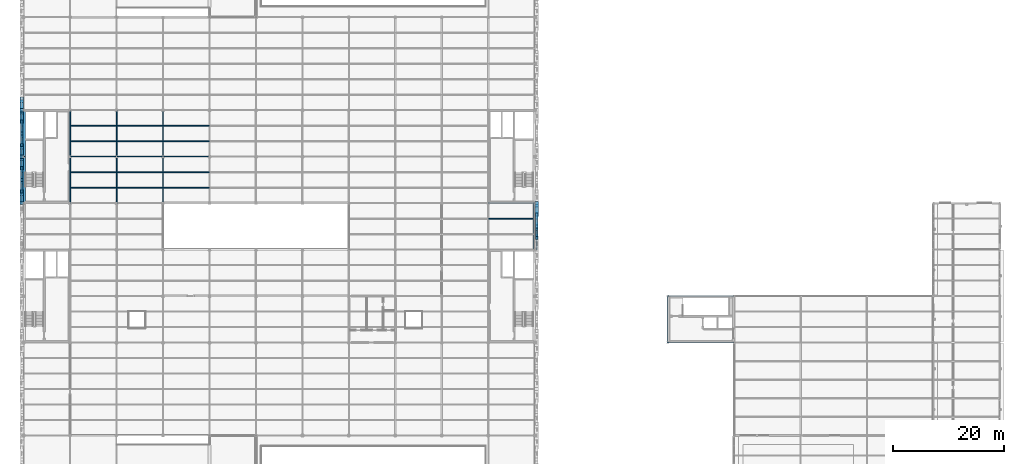
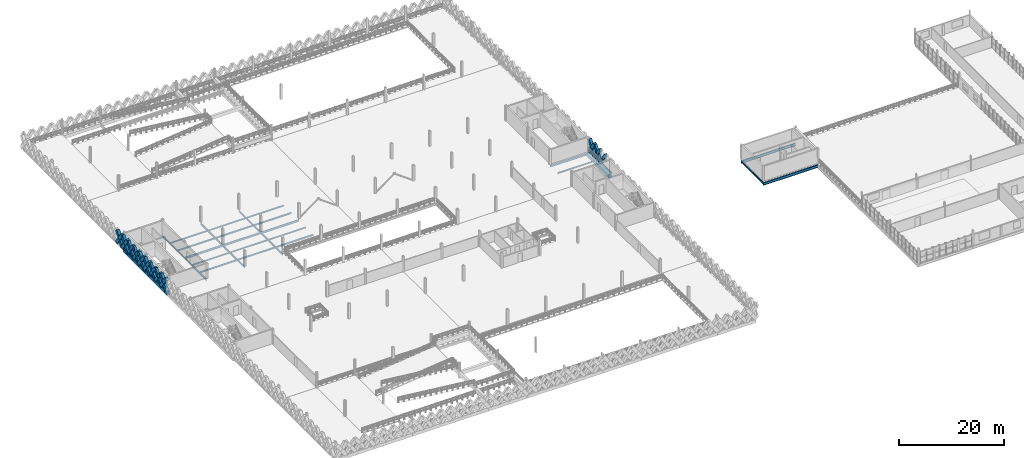
# One storey, part 25 of 74: 38 members, 29 beams.
"""IFC4 building model written with IfcOpenShell, lengths in metres."""

from ifc_helpers import new_model, si_unit, direction, frame, origin, origin_2d, place, context, subcontext, project, spatial, rectangle, hollow_rectangle, i_section, extrude, material, material_profile, profile_set, type_object, element, save


model = new_model("IFC4")

# Units and contexts
model_context = context("Model", 3, precision=1e-05, world=origin(), true_north=direction((0.0, 1.0)))
body_context = subcontext(model_context, "Body", "Model", "MODEL_VIEW")
ifc_project = project(units=[si_unit("LENGTHUNIT", "METRE"), si_unit("AREAUNIT", "SQUARE_METRE"), si_unit("VOLUMEUNIT", "CUBIC_METRE"), si_unit("PLANEANGLEUNIT", "RADIAN"), si_unit("MASSUNIT", "GRAM", prefix="KILO"), si_unit("THERMODYNAMICTEMPERATUREUNIT", "KELVIN"), si_unit("POWERUNIT", "WATT")], contexts=[model_context])

# Site, building, storey
site_placement = place(None, origin())
site = spatial("IfcSite", under=ifc_project, at=site_placement, CompositionType="ELEMENT")
building_placement = place(site_placement, origin())
building = spatial("IfcBuilding", under=site, at=building_placement, Name="Tembeka Court Mobility Hub", CompositionType="ELEMENT")
storey_placement = place(building_placement, frame((0.0, 0.0, 12.60009765625)))
storey = spatial("IfcBuildingStorey", under=building, at=storey_placement, Name="L03", CompositionType="ELEMENT", Elevation=12.60009765625)

# Beams
ifc_material_1 = material(Name="Steel S355", Category="steel")
ifc_material_profile_1 = material_profile(ifc_material_1, i_section(OverallWidth=0.18994140625, OverallDepth=0.45703125, WebThickness=0.009033203125, FlangeThickness=0.014404296875, FilletRadius=0.01025390625, at=origin_2d()), Name="UKB 457x191x74")
ifc_profile_set_1 = profile_set([ifc_material_profile_1], Name="Steel S355")
beam_type_1 = type_object("IfcBeamType", Name="BM-B01", PredefinedType="BEAM", material=ifc_profile_set_1)
beam_1_placement = place(storey_placement, frame((84.0, 63.60009765625, -0.448486328125), z_axis=(1.0, 0.0, 0.0), x_axis=(0.0, 1.0, 0.0)))
element("IfcBeam", 1, at=beam_1_placement, inside=storey, type_object=beam_type_1, Name="Beam B01 (BM-L03-X1770)", PredefinedType="BEAM", context=body_context, shape_type="SweptSolid", body=[
    extrude(i_section(OverallWidth=0.18994140625, OverallDepth=0.45703125, WebThickness=0.009033203125, FlangeThickness=0.014404296875, FilletRadius=0.01025390625, at=origin_2d()), origin(), (0.0, 0.0, 1.0), 8.39990234375),
])
beam_2_placement = place(storey_placement, frame((8.39990234375, 72.0, -0.448486328125), z_axis=(1.0, 0.0, 0.0), x_axis=(0.0, 1.0, 0.0)))
element("IfcBeam", 2, at=beam_2_placement, inside=storey, type_object=beam_type_1, Name="Beam B01 (BM-L03-X1772)", PredefinedType="BEAM", context=body_context, shape_type="SweptSolid", body=[
    extrude(i_section(OverallWidth=0.18994140625, OverallDepth=0.45703125, WebThickness=0.009033203125, FlangeThickness=0.014404296875, FilletRadius=0.01025390625, at=origin_2d()), origin(), (0.0, 0.0, 1.0), 8.400146484375),
])
beam_3_placement = place(storey_placement, frame((16.800048828125, 72.0, -0.448486328125), z_axis=(1.0, 0.0, 0.0), x_axis=(0.0, 1.0, 0.0)))
element("IfcBeam", 3, at=beam_3_placement, inside=storey, type_object=beam_type_1, Name="Beam B01 (BM-L03-X1773)", PredefinedType="BEAM", context=body_context, shape_type="SweptSolid", body=[
    extrude(i_section(OverallWidth=0.18994140625, OverallDepth=0.45703125, WebThickness=0.009033203125, FlangeThickness=0.014404296875, FilletRadius=0.01025390625, at=origin_2d()), origin(), (0.0, 0.0, 1.0), 8.39990234375),
])
beam_4_placement = place(storey_placement, frame((25.199951171875, 72.0, -0.448486328125), z_axis=(1.0, 0.0, 0.0), x_axis=(0.0, 1.0, 0.0)))
element("IfcBeam", 4, at=beam_4_placement, inside=storey, type_object=beam_type_1, Name="Beam B01 (BM-L03-X1774)", PredefinedType="BEAM", context=body_context, shape_type="SweptSolid", body=[
    extrude(i_section(OverallWidth=0.18994140625, OverallDepth=0.45703125, WebThickness=0.009033203125, FlangeThickness=0.014404296875, FilletRadius=0.01025390625, at=origin_2d()), origin(), (0.0, 0.0, 1.0), 8.400146484375),
])
ifc_material_profile_2 = material_profile(ifc_material_1, i_section(OverallWidth=0.177978515625, OverallDepth=0.406005859375, WebThickness=0.0078125, FlangeThickness=0.0126953125, FilletRadius=0.01025390625, at=origin_2d()), Name="UKB 406x178x60")
ifc_profile_set_2 = profile_set([ifc_material_profile_2], Name="Steel S355")
beam_type_2 = type_object("IfcBeamType", Name="BM-B02", PredefinedType="BEAM", material=ifc_profile_set_2)
for number, where, z_axis, x_axis, name in (
    (5, (8.39990234375, 63.60009765625, -0.423095703125), (0.0, 1.0, 0.0), (-1.0, 0.0, 0.0), "Beam B02 (BM-L03-Y1833)"),
    (6, (8.39990234375, 72.0, -0.423095703125), (0.0, 1.0, 0.0), (-1.0, 0.0, 0.0), "Beam B02 (BM-L03-Y1834)"),
    (7, (16.800048828125, 63.60009765625, -0.423095703125), (0.0, 1.0, 0.0), (-1.0, 0.0, 0.0), "Beam B02 (BM-L03-Y1844)"),
    (8, (16.800048828125, 72.0, -0.423095703125), (0.0, 1.0, 0.0), (-1.0, 0.0, 0.0), "Beam B02 (BM-L03-Y1845)"),
    (9, (25.199951171875, 63.60009765625, -0.423095703125), (0.0, 1.0, 0.0), (-1.0, 0.0, 0.0), "Beam B02 (BM-L03-Y1853)"),
    (10, (25.199951171875, 72.0, -0.423095703125), (0.0, 1.0, 0.0), (-1.0, 0.0, 0.0), "Beam B02 (BM-L03-Y1854)"),
):
    element("IfcBeam", number, at=place(storey_placement, frame(where, z_axis=z_axis, x_axis=x_axis)), inside=storey, type_object=beam_type_2, Name=name, PredefinedType="BEAM", context=body_context, shape_type="SweptSolid", body=[
        extrude(i_section(OverallWidth=0.177978515625, OverallDepth=0.406005859375, WebThickness=0.0078125, FlangeThickness=0.0126953125, FilletRadius=0.01025390625, at=origin_2d()), origin(), (0.0, 0.0, 1.0), 8.39990234375),
    ])
beam_5_placement = place(storey_placement, frame((116.39990234375, 38.39990234375, -0.39306640625), z_axis=(0.0, 1.0, 0.0), x_axis=(-1.0, 0.0, 0.0)))
element("IfcBeam", 11, at=beam_5_placement, inside=storey, type_object=beam_type_2, Name="Beam B02 (BM-L03-Y1921)", PredefinedType="BEAM", context=body_context, shape_type="SweptSolid", body=[
    extrude(i_section(OverallWidth=0.177978515625, OverallDepth=0.406005859375, WebThickness=0.0078125, FlangeThickness=0.0126953125, FilletRadius=0.01025390625, at=origin_2d()), origin(), (0.0, 0.0, 1.0), 8.400146484375),
])
ifc_material_profile_3 = material_profile(ifc_material_1, i_section(OverallWidth=0.22900390625, OverallDepth=0.612060546875, WebThickness=0.011962890625, FlangeThickness=0.01953125, FilletRadius=0.0126953125, at=origin_2d()), Name="UKB 610x229x125")
ifc_profile_set_3 = profile_set([ifc_material_profile_3], Name="Steel S355")
beam_type_3 = type_object("IfcBeamType", Name="BM-G02", PredefinedType="USERDEFINED", material=ifc_profile_set_3)
for number, where, z_axis, x_axis, name in (
    (12, (116.39990234375, 38.39990234375, -0.6259765625), (1.0, 0.0, 0.0), (0.0, 1.0, 0.0), "Beam G02 (BM-L03-X1729)"),
    (13, (116.39990234375, 46.800048828125, -0.6259765625), (1.0, 0.0, 0.0), (0.0, 1.0, 0.0), "Beam G02 (BM-L03-X1743)"),
):
    element("IfcBeam", number, at=place(storey_placement, frame(where, z_axis=z_axis, x_axis=x_axis)), inside=storey, type_object=beam_type_3, Name=name, ObjectType="GIRDER", PredefinedType="USERDEFINED", context=body_context, shape_type="SweptSolid", body=[
        extrude(i_section(OverallWidth=0.22900390625, OverallDepth=0.612060546875, WebThickness=0.011962890625, FlangeThickness=0.01953125, FilletRadius=0.0126953125, at=origin_2d()), origin(), (0.0, 0.0, 1.0), 12.0),
    ])
ifc_material_profile_4 = material_profile(ifc_material_1, i_section(OverallWidth=0.1650390625, OverallDepth=0.303955078125, WebThickness=0.006103515625, FlangeThickness=0.01025390625, FilletRadius=0.0087890625, at=origin_2d()), Name="UKB 305x165x40")
ifc_profile_set_4 = profile_set([ifc_material_profile_4], Name="Steel S355")
beam_type_4 = type_object("IfcBeamType", Name="BM-J02", PredefinedType="JOIST", material=ifc_profile_set_4)
for number, where, z_axis, x_axis, name in (
    (14, (8.48388671875, 69.199951171875, -0.3720703125), (1.0, 0.0, 0.0), (0.0, 1.0, 0.0), "Beam J02 (JST-L03-1970)"),
    (15, (8.48388671875, 77.60009765625, -0.3720703125), (1.0, 0.0, 0.0), (0.0, 1.0, 0.0), "Beam J02 (JST-L03-1972)"),
):
    element("IfcBeam", number, at=place(storey_placement, frame(where, z_axis=z_axis, x_axis=x_axis)), inside=storey, type_object=beam_type_4, Name=name, PredefinedType="JOIST", context=body_context, shape_type="SweptSolid", body=[
        extrude(i_section(OverallWidth=0.1650390625, OverallDepth=0.303955078125, WebThickness=0.006103515625, FlangeThickness=0.01025390625, FilletRadius=0.0087890625, at=origin_2d()), origin(), (0.0, 0.0, 1.0), 8.232177734375),
    ])
for number, where, z_axis, x_axis, name in (
    (16, (16.884033203125, 69.199951171875, -0.3720703125), (1.0, 0.0, 0.0), (0.0, 1.0, 0.0), "Beam J02 (JST-L03-1990)"),
    (17, (16.884033203125, 77.60009765625, -0.3720703125), (1.0, 0.0, 0.0), (0.0, 1.0, 0.0), "Beam J02 (JST-L03-1992)"),
):
    element("IfcBeam", number, at=place(storey_placement, frame(where, z_axis=z_axis, x_axis=x_axis)), inside=storey, type_object=beam_type_4, Name=name, PredefinedType="JOIST", context=body_context, shape_type="SweptSolid", body=[
        extrude(i_section(OverallWidth=0.1650390625, OverallDepth=0.303955078125, WebThickness=0.006103515625, FlangeThickness=0.01025390625, FilletRadius=0.0087890625, at=origin_2d()), origin(), (0.0, 0.0, 1.0), 8.23193359375),
    ])
for number, where, z_axis, x_axis, name in (
    (18, (25.283935546875, 69.199951171875, -0.3720703125), (1.0, 0.0, 0.0), (0.0, 1.0, 0.0), "Beam J02 (JST-L03-2008)"),
    (19, (25.283935546875, 77.60009765625, -0.3720703125), (1.0, 0.0, 0.0), (0.0, 1.0, 0.0), "Beam J02 (JST-L03-2010)"),
):
    element("IfcBeam", number, at=place(storey_placement, frame(where, z_axis=z_axis, x_axis=x_axis)), inside=storey, type_object=beam_type_4, Name=name, PredefinedType="JOIST", context=body_context, shape_type="SweptSolid", body=[
        extrude(i_section(OverallWidth=0.1650390625, OverallDepth=0.303955078125, WebThickness=0.006103515625, FlangeThickness=0.01025390625, FilletRadius=0.0087890625, at=origin_2d()), origin(), (0.0, 0.0, 1.0), 8.232177734375),
    ])
beam_6_placement = place(storey_placement, frame((84.083984375, 60.800048828125, -0.3720703125), z_axis=(1.0, 0.0, 0.0), x_axis=(0.0, 1.0, 0.0)))
element("IfcBeam", 20, at=beam_6_placement, inside=storey, type_object=beam_type_4, Name="Beam J02 (JST-L03-2136)", PredefinedType="JOIST", context=body_context, shape_type="SweptSolid", body=[
    extrude(i_section(OverallWidth=0.1650390625, OverallDepth=0.303955078125, WebThickness=0.006103515625, FlangeThickness=0.01025390625, FilletRadius=0.0087890625, at=origin_2d()), origin(), (0.0, 0.0, 1.0), 7.99609375),
])
ifc_material_profile_5 = material_profile(ifc_material_1, i_section(OverallWidth=0.169921875, OverallDepth=0.360107421875, WebThickness=0.008056640625, FlangeThickness=0.0126953125, FilletRadius=0.01806640625, at=origin_2d()), Name="IPE 360")
ifc_profile_set_5 = profile_set([ifc_material_profile_5], Name="Steel S355")
beam_type_5 = type_object("IfcBeamType", Name="BM-J03", PredefinedType="JOIST", material=ifc_profile_set_5)
for number, where, z_axis, x_axis, name in (
    (21, (8.48388671875, 66.39990234375, -0.400146484375), (1.0, 0.0, 0.0), (0.0, 1.0, 0.0), "Beam J03 (JST-L03-1969)"),
    (22, (8.48388671875, 74.800048828125, -0.400146484375), (1.0, 0.0, 0.0), (0.0, 1.0, 0.0), "Beam J03 (JST-L03-1971)"),
):
    element("IfcBeam", number, at=place(storey_placement, frame(where, z_axis=z_axis, x_axis=x_axis)), inside=storey, type_object=beam_type_5, Name=name, PredefinedType="JOIST", context=body_context, shape_type="SweptSolid", body=[
        extrude(i_section(OverallWidth=0.169921875, OverallDepth=0.360107421875, WebThickness=0.008056640625, FlangeThickness=0.0126953125, FilletRadius=0.01806640625, at=origin_2d()), origin(), (0.0, 0.0, 1.0), 8.232177734375),
    ])
for number, where, z_axis, x_axis, name in (
    (23, (16.884033203125, 66.39990234375, -0.400146484375), (1.0, 0.0, 0.0), (0.0, 1.0, 0.0), "Beam J03 (JST-L03-1989)"),
    (24, (16.884033203125, 74.800048828125, -0.400146484375), (1.0, 0.0, 0.0), (0.0, 1.0, 0.0), "Beam J03 (JST-L03-1991)"),
):
    element("IfcBeam", number, at=place(storey_placement, frame(where, z_axis=z_axis, x_axis=x_axis)), inside=storey, type_object=beam_type_5, Name=name, PredefinedType="JOIST", context=body_context, shape_type="SweptSolid", body=[
        extrude(i_section(OverallWidth=0.169921875, OverallDepth=0.360107421875, WebThickness=0.008056640625, FlangeThickness=0.0126953125, FilletRadius=0.01806640625, at=origin_2d()), origin(), (0.0, 0.0, 1.0), 8.23193359375),
    ])
for number, where, z_axis, x_axis, name in (
    (25, (25.283935546875, 66.39990234375, -0.400146484375), (1.0, 0.0, 0.0), (0.0, 1.0, 0.0), "Beam J03 (JST-L03-2007)"),
    (26, (25.283935546875, 74.800048828125, -0.400146484375), (1.0, 0.0, 0.0), (0.0, 1.0, 0.0), "Beam J03 (JST-L03-2009)"),
):
    element("IfcBeam", number, at=place(storey_placement, frame(where, z_axis=z_axis, x_axis=x_axis)), inside=storey, type_object=beam_type_5, Name=name, PredefinedType="JOIST", context=body_context, shape_type="SweptSolid", body=[
        extrude(i_section(OverallWidth=0.169921875, OverallDepth=0.360107421875, WebThickness=0.008056640625, FlangeThickness=0.0126953125, FilletRadius=0.01806640625, at=origin_2d()), origin(), (0.0, 0.0, 1.0), 8.232177734375),
    ])
ifc_material_2 = material(Name="Precast concrete C45/55", Category="concrete")
ifc_material_profile_6 = material_profile(ifc_material_2, rectangle(XDim=0.64990234375, YDim=0.800048828125, at=origin_2d()), Name="PC-SP 650x800")
ifc_profile_set_6 = profile_set([ifc_material_profile_6], Name="Precast concrete C45/55")
beam_type_6 = type_object("IfcBeamType", Name="BM-SP01", PredefinedType="SPANDREL", material=ifc_profile_set_6)
for number, where, z_axis, x_axis, name in (
    (27, (0.0, 63.60009765625, -0.6201171875), (0.0, 1.0, 0.0), (-1.0, 0.0, 0.0), "Beam SP01 (BM-L03-Y1822)"),
    (28, (0.0, 72.0, -0.6201171875), (0.0, 1.0, 0.0), (-1.0, 0.0, 0.0), "Beam SP01 (BM-L03-Y1823)"),
):
    element("IfcBeam", number, at=place(storey_placement, frame(where, z_axis=z_axis, x_axis=x_axis)), inside=storey, type_object=beam_type_6, Name=name, PredefinedType="SPANDREL", context=body_context, shape_type="SweptSolid", body=[
        extrude(rectangle(XDim=0.64990234375, YDim=0.800048828125, at=origin_2d()), origin(), (0.0, 0.0, 1.0), 8.39990234375),
    ])
beam_7_placement = place(storey_placement, frame((92.39990234375, 55.199951171875, -0.6201171875), z_axis=(0.0, 1.0, 0.0), x_axis=(-1.0, 0.0, 0.0)))
element("IfcBeam", 29, at=beam_7_placement, inside=storey, type_object=beam_type_6, Name="Beam SP01 (BM-L03-Y1915)", PredefinedType="SPANDREL", context=body_context, shape_type="SweptSolid", body=[
    extrude(rectangle(XDim=0.64990234375, YDim=0.800048828125, at=origin_2d()), origin(), (0.0, 0.0, 1.0), 8.400146484375),
])

# Members
ifc_material_profile_7 = material_profile(ifc_material_2, rectangle(XDim=0.5, YDim=0.64990234375, at=origin_2d()), Name="PC-DIAG 500x650")
ifc_profile_set_7 = profile_set([ifc_material_profile_7], Name="Precast concrete C45/55")
member_type_1 = type_object("IfcMemberType", Name="MEM-DL01", PredefinedType="BRACE", material=ifc_profile_set_7)
member_1_placement = place(storey_placement, frame((-0.340087890625, 65.699951171875, 0.02001953125), z_axis=(0.0, 0.582576362011, 0.812775973086), x_axis=(-1.0, 0.0, 0.0)))
element("IfcMember", 30, at=member_1_placement, inside=storey, type_object=member_type_1, Name="Precast diamond lattice continuous strand DL01 (L03-508C)", PredefinedType="BRACE", context=body_context, shape_type="SweptSolid", body=[
    extrude(rectangle(XDim=0.5, YDim=0.64990234375, at=origin_2d()), origin(), (0.0, 0.0, 1.0), 3.604736328125),
])
member_2_placement = place(storey_placement, frame((-0.340087890625, 67.800048828125, 0.02001953125), z_axis=(0.0, -0.582608431711, 0.812752985414), x_axis=(1.0, 0.0, 0.0)))
element("IfcMember", 31, at=member_2_placement, inside=storey, type_object=member_type_1, Name="Precast diamond lattice split lower strand DL01 (L03-508D1)", PredefinedType="BRACE", context=body_context, shape_type="SweptSolid", body=[
    extrude(rectangle(XDim=0.5, YDim=0.64990234375, at=origin_2d()), origin(), (0.0, 0.0, 1.0), 1.80224609375),
])
member_3_placement = place(storey_placement, frame((-0.340087890625, 66.75, 1.48486328125), z_axis=(0.0, -0.582544294934, 0.812798956963), x_axis=(1.0, 0.0, 0.0)))
element("IfcMember", 32, at=member_3_placement, inside=storey, type_object=member_type_1, Name="Precast diamond lattice split upper strand DL01 (L03-508D2)", PredefinedType="BRACE", context=body_context, shape_type="SweptSolid", body=[
    extrude(rectangle(XDim=0.5, YDim=0.64990234375, at=origin_2d()), origin(), (0.0, 0.0, 1.0), 1.802490234375),
])
member_4_placement = place(storey_placement, frame((-0.340087890625, 67.800048828125, 0.02001953125), z_axis=(0.0, 0.58253161945, 0.812808041509), x_axis=(-1.0, 0.0, 0.0)))
element("IfcMember", 33, at=member_4_placement, inside=storey, type_object=member_type_1, Name="Precast diamond lattice continuous strand DL01 (L03-509C)", PredefinedType="BRACE", context=body_context, shape_type="SweptSolid", body=[
    extrude(rectangle(XDim=0.5, YDim=0.64990234375, at=origin_2d()), origin(), (0.0, 0.0, 1.0), 3.604736328125),
])
member_5_placement = place(storey_placement, frame((-0.340087890625, 69.89990234375, 0.02001953125), z_axis=(0.0, -0.582518941428, 0.812817127574), x_axis=(1.0, 0.0, 0.0)))
element("IfcMember", 34, at=member_5_placement, inside=storey, type_object=member_type_1, Name="Precast diamond lattice split lower strand DL01 (L03-509D1)", PredefinedType="BRACE", context=body_context, shape_type="SweptSolid", body=[
    extrude(rectangle(XDim=0.5, YDim=0.64990234375, at=origin_2d()), origin(), (0.0, 0.0, 1.0), 1.80224609375),
])
member_6_placement = place(storey_placement, frame((-0.340087890625, 68.85009765625, 1.48486328125), z_axis=(0.0, -0.582544294934, 0.812798956963), x_axis=(1.0, 0.0, 0.0)))
element("IfcMember", 35, at=member_6_placement, inside=storey, type_object=member_type_1, Name="Precast diamond lattice split upper strand DL01 (L03-509D2)", PredefinedType="BRACE", context=body_context, shape_type="SweptSolid", body=[
    extrude(rectangle(XDim=0.5, YDim=0.64990234375, at=origin_2d()), origin(), (0.0, 0.0, 1.0), 1.802490234375),
])
member_7_placement = place(storey_placement, frame((-0.340087890625, 74.10009765625, 0.02001953125), z_axis=(0.0, 0.58253161945, 0.812808041509), x_axis=(-1.0, 0.0, 0.0)))
element("IfcMember", 36, at=member_7_placement, inside=storey, type_object=member_type_1, Name="Precast diamond lattice continuous strand DL01 (L03-512C)", PredefinedType="BRACE", context=body_context, shape_type="SweptSolid", body=[
    extrude(rectangle(XDim=0.5, YDim=0.64990234375, at=origin_2d()), origin(), (0.0, 0.0, 1.0), 3.604736328125),
])
member_8_placement = place(storey_placement, frame((-0.340087890625, 76.199951171875, 0.02001953125), z_axis=(0.0, -0.582608431711, 0.812752985414), x_axis=(1.0, 0.0, 0.0)))
element("IfcMember", 37, at=member_8_placement, inside=storey, type_object=member_type_1, Name="Precast diamond lattice split lower strand DL01 (L03-512D1)", PredefinedType="BRACE", context=body_context, shape_type="SweptSolid", body=[
    extrude(rectangle(XDim=0.5, YDim=0.64990234375, at=origin_2d()), origin(), (0.0, 0.0, 1.0), 1.80224609375),
])
member_9_placement = place(storey_placement, frame((-0.340087890625, 75.14990234375, 1.48486328125), z_axis=(0.0, -0.582454804382, 0.812863088627), x_axis=(1.0, 0.0, 0.0)))
element("IfcMember", 38, at=member_9_placement, inside=storey, type_object=member_type_1, Name="Precast diamond lattice split upper strand DL01 (L03-512D2)", PredefinedType="BRACE", context=body_context, shape_type="SweptSolid", body=[
    extrude(rectangle(XDim=0.5, YDim=0.64990234375, at=origin_2d()), origin(), (0.0, 0.0, 1.0), 1.802490234375),
])
member_10_placement = place(storey_placement, frame((-0.340087890625, 76.199951171875, 0.02001953125), z_axis=(0.0, 0.582576362011, 0.812775973086), x_axis=(-1.0, 0.0, 0.0)))
element("IfcMember", 39, at=member_10_placement, inside=storey, type_object=member_type_1, Name="Precast diamond lattice continuous strand DL01 (L03-513C)", PredefinedType="BRACE", context=body_context, shape_type="SweptSolid", body=[
    extrude(rectangle(XDim=0.5, YDim=0.64990234375, at=origin_2d()), origin(), (0.0, 0.0, 1.0), 3.604736328125),
])
member_11_placement = place(storey_placement, frame((-0.340087890625, 78.300048828125, 0.02001953125), z_axis=(0.0, -0.582608431711, 0.812752985414), x_axis=(1.0, 0.0, 0.0)))
element("IfcMember", 40, at=member_11_placement, inside=storey, type_object=member_type_1, Name="Precast diamond lattice split lower strand DL01 (L03-513D1)", PredefinedType="BRACE", context=body_context, shape_type="SweptSolid", body=[
    extrude(rectangle(XDim=0.5, YDim=0.64990234375, at=origin_2d()), origin(), (0.0, 0.0, 1.0), 1.80224609375),
])
member_12_placement = place(storey_placement, frame((-0.340087890625, 77.25, 1.48486328125), z_axis=(0.0, -0.582544294934, 0.812798956963), x_axis=(1.0, 0.0, 0.0)))
element("IfcMember", 41, at=member_12_placement, inside=storey, type_object=member_type_1, Name="Precast diamond lattice split upper strand DL01 (L03-513D2)", PredefinedType="BRACE", context=body_context, shape_type="SweptSolid", body=[
    extrude(rectangle(XDim=0.5, YDim=0.64990234375, at=origin_2d()), origin(), (0.0, 0.0, 1.0), 1.802490234375),
])
member_13_placement = place(storey_placement, frame((92.739990234375, 59.39990234375, 0.02001953125), z_axis=(0.0, -0.582518941428, 0.812817127574), x_axis=(1.0, 0.0, 0.0)))
element("IfcMember", 42, at=member_13_placement, inside=storey, type_object=member_type_1, Name="Precast diamond lattice split lower strand DL01 (L03-560D1)", PredefinedType="BRACE", context=body_context, shape_type="SweptSolid", body=[
    extrude(rectangle(XDim=0.5, YDim=0.64990234375, at=origin_2d()), origin(), (0.0, 0.0, 1.0), 1.80224609375),
])
member_14_placement = place(storey_placement, frame((92.739990234375, 58.35009765625, 1.48486328125), z_axis=(0.0, -0.582544294934, 0.812798956963), x_axis=(1.0, 0.0, 0.0)))
element("IfcMember", 43, at=member_14_placement, inside=storey, type_object=member_type_1, Name="Precast diamond lattice split upper strand DL01 (L03-560D2)", PredefinedType="BRACE", context=body_context, shape_type="SweptSolid", body=[
    extrude(rectangle(XDim=0.5, YDim=0.64990234375, at=origin_2d()), origin(), (0.0, 0.0, 1.0), 1.802490234375),
])
member_15_placement = place(storey_placement, frame((92.739990234375, 59.39990234375, 0.02001953125), z_axis=(0.0, 0.582576362011, 0.812775973086), x_axis=(-1.0, 0.0, 0.0)))
element("IfcMember", 44, at=member_15_placement, inside=storey, type_object=member_type_1, Name="Precast diamond lattice continuous strand DL01 (L03-561C)", PredefinedType="BRACE", context=body_context, shape_type="SweptSolid", body=[
    extrude(rectangle(XDim=0.5, YDim=0.64990234375, at=origin_2d()), origin(), (0.0, 0.0, 1.0), 3.604736328125),
])
member_16_placement = place(storey_placement, frame((92.739990234375, 61.5, 0.02001953125), z_axis=(0.0, -0.582608431711, 0.812752985414), x_axis=(1.0, 0.0, 0.0)))
element("IfcMember", 45, at=member_16_placement, inside=storey, type_object=member_type_1, Name="Precast diamond lattice split lower strand DL01 (L03-561D1)", PredefinedType="BRACE", context=body_context, shape_type="SweptSolid", body=[
    extrude(rectangle(XDim=0.5, YDim=0.64990234375, at=origin_2d()), origin(), (0.0, 0.0, 1.0), 1.80224609375),
])
member_17_placement = place(storey_placement, frame((92.739990234375, 60.449951171875, 1.48486328125), z_axis=(0.0, -0.582544294934, 0.812798956963), x_axis=(1.0, 0.0, 0.0)))
element("IfcMember", 46, at=member_17_placement, inside=storey, type_object=member_type_1, Name="Precast diamond lattice split upper strand DL01 (L03-561D2)", PredefinedType="BRACE", context=body_context, shape_type="SweptSolid", body=[
    extrude(rectangle(XDim=0.5, YDim=0.64990234375, at=origin_2d()), origin(), (0.0, 0.0, 1.0), 1.802490234375),
])
ifc_material_profile_8 = material_profile(ifc_material_2, rectangle(XDim=0.60009765625, YDim=0.75, at=origin_2d()), Name="PC-DIAG 600x750")
ifc_profile_set_8 = profile_set([ifc_material_profile_8], Name="Precast concrete C45/55")
member_type_2 = type_object("IfcMemberType", Name="MEM-DL02", PredefinedType="BRACE", material=ifc_profile_set_8)
member_18_placement = place(storey_placement, frame((-0.340087890625, 63.60009765625, 0.02001953125), z_axis=(0.0, 0.58253161945, 0.812808041509), x_axis=(-1.0, 0.0, 0.0)))
element("IfcMember", 47, at=member_18_placement, inside=storey, type_object=member_type_2, Name="Precast diamond lattice continuous strand DL02 (L03-507C)", PredefinedType="BRACE", context=body_context, shape_type="SweptSolid", body=[
    extrude(rectangle(XDim=0.60009765625, YDim=0.75, at=origin_2d()), origin(), (0.0, 0.0, 1.0), 3.604736328125),
])
member_19_placement = place(storey_placement, frame((-0.340087890625, 65.699951171875, 0.02001953125), z_axis=(0.0, -0.582608431711, 0.812752985414), x_axis=(1.0, 0.0, 0.0)))
element("IfcMember", 48, at=member_19_placement, inside=storey, type_object=member_type_2, Name="Precast diamond lattice split lower strand DL02 (L03-507D1)", PredefinedType="BRACE", context=body_context, shape_type="SweptSolid", body=[
    extrude(rectangle(XDim=0.60009765625, YDim=0.75, at=origin_2d()), origin(), (0.0, 0.0, 1.0), 1.80224609375),
])
member_20_placement = place(storey_placement, frame((-0.340087890625, 64.64990234375, 1.48486328125), z_axis=(0.0, -0.582454804382, 0.812863088627), x_axis=(1.0, 0.0, 0.0)))
element("IfcMember", 49, at=member_20_placement, inside=storey, type_object=member_type_2, Name="Precast diamond lattice split upper strand DL02 (L03-507D2)", PredefinedType="BRACE", context=body_context, shape_type="SweptSolid", body=[
    extrude(rectangle(XDim=0.60009765625, YDim=0.75, at=origin_2d()), origin(), (0.0, 0.0, 1.0), 1.802490234375),
])
member_21_placement = place(storey_placement, frame((-0.340087890625, 69.89990234375, 0.02001953125), z_axis=(0.0, 0.582576362011, 0.812775973086), x_axis=(-1.0, 0.0, 0.0)))
element("IfcMember", 50, at=member_21_placement, inside=storey, type_object=member_type_2, Name="Precast diamond lattice continuous strand DL02 (L03-510C)", PredefinedType="BRACE", context=body_context, shape_type="SweptSolid", body=[
    extrude(rectangle(XDim=0.60009765625, YDim=0.75, at=origin_2d()), origin(), (0.0, 0.0, 1.0), 3.604736328125),
])
member_22_placement = place(storey_placement, frame((-0.340087890625, 72.0, 0.02001953125), z_axis=(0.0, -0.582608431711, 0.812752985414), x_axis=(1.0, 0.0, 0.0)))
element("IfcMember", 51, at=member_22_placement, inside=storey, type_object=member_type_2, Name="Precast diamond lattice split lower strand DL02 (L03-510D1)", PredefinedType="BRACE", context=body_context, shape_type="SweptSolid", body=[
    extrude(rectangle(XDim=0.60009765625, YDim=0.75, at=origin_2d()), origin(), (0.0, 0.0, 1.0), 1.80224609375),
])
member_23_placement = place(storey_placement, frame((-0.340087890625, 70.949951171875, 1.48486328125), z_axis=(0.0, -0.582544294934, 0.812798956963), x_axis=(1.0, 0.0, 0.0)))
element("IfcMember", 52, at=member_23_placement, inside=storey, type_object=member_type_2, Name="Precast diamond lattice split upper strand DL02 (L03-510D2)", PredefinedType="BRACE", context=body_context, shape_type="SweptSolid", body=[
    extrude(rectangle(XDim=0.60009765625, YDim=0.75, at=origin_2d()), origin(), (0.0, 0.0, 1.0), 1.802490234375),
])
member_24_placement = place(storey_placement, frame((-0.340087890625, 72.0, 0.02001953125), z_axis=(0.0, 0.582576362011, 0.812775973086), x_axis=(-1.0, 0.0, 0.0)))
element("IfcMember", 53, at=member_24_placement, inside=storey, type_object=member_type_2, Name="Precast diamond lattice continuous strand DL02 (L03-511C)", PredefinedType="BRACE", context=body_context, shape_type="SweptSolid", body=[
    extrude(rectangle(XDim=0.60009765625, YDim=0.75, at=origin_2d()), origin(), (0.0, 0.0, 1.0), 3.604736328125),
])
member_25_placement = place(storey_placement, frame((-0.340087890625, 74.10009765625, 0.02001953125), z_axis=(0.0, -0.582608431711, 0.812752985414), x_axis=(1.0, 0.0, 0.0)))
element("IfcMember", 54, at=member_25_placement, inside=storey, type_object=member_type_2, Name="Precast diamond lattice split lower strand DL02 (L03-511D1)", PredefinedType="BRACE", context=body_context, shape_type="SweptSolid", body=[
    extrude(rectangle(XDim=0.60009765625, YDim=0.75, at=origin_2d()), origin(), (0.0, 0.0, 1.0), 1.80224609375),
])
member_26_placement = place(storey_placement, frame((-0.340087890625, 73.050048828125, 1.48486328125), z_axis=(0.0, -0.582544294934, 0.812798956963), x_axis=(1.0, 0.0, 0.0)))
element("IfcMember", 55, at=member_26_placement, inside=storey, type_object=member_type_2, Name="Precast diamond lattice split upper strand DL02 (L03-511D2)", PredefinedType="BRACE", context=body_context, shape_type="SweptSolid", body=[
    extrude(rectangle(XDim=0.60009765625, YDim=0.75, at=origin_2d()), origin(), (0.0, 0.0, 1.0), 1.802490234375),
])
member_27_placement = place(storey_placement, frame((-0.340087890625, 78.300048828125, 0.02001953125), z_axis=(0.0, 0.58253161945, 0.812808041509), x_axis=(-1.0, 0.0, 0.0)))
element("IfcMember", 56, at=member_27_placement, inside=storey, type_object=member_type_2, Name="Precast diamond lattice continuous strand DL02 (L03-514C)", PredefinedType="BRACE", context=body_context, shape_type="SweptSolid", body=[
    extrude(rectangle(XDim=0.60009765625, YDim=0.75, at=origin_2d()), origin(), (0.0, 0.0, 1.0), 3.604736328125),
])
member_28_placement = place(storey_placement, frame((-0.340087890625, 80.39990234375, 0.02001953125), z_axis=(0.0, -0.582518941428, 0.812817127574), x_axis=(1.0, 0.0, 0.0)))
element("IfcMember", 57, at=member_28_placement, inside=storey, type_object=member_type_2, Name="Precast diamond lattice split lower strand DL02 (L03-514D1)", PredefinedType="BRACE", context=body_context, shape_type="SweptSolid", body=[
    extrude(rectangle(XDim=0.60009765625, YDim=0.75, at=origin_2d()), origin(), (0.0, 0.0, 1.0), 1.80224609375),
])
member_29_placement = place(storey_placement, frame((-0.340087890625, 79.35009765625, 1.48486328125), z_axis=(0.0, -0.582544294934, 0.812798956963), x_axis=(1.0, 0.0, 0.0)))
element("IfcMember", 58, at=member_29_placement, inside=storey, type_object=member_type_2, Name="Precast diamond lattice split upper strand DL02 (L03-514D2)", PredefinedType="BRACE", context=body_context, shape_type="SweptSolid", body=[
    extrude(rectangle(XDim=0.60009765625, YDim=0.75, at=origin_2d()), origin(), (0.0, 0.0, 1.0), 1.802490234375),
])
member_30_placement = place(storey_placement, frame((-0.340087890625, 80.39990234375, 0.02001953125), z_axis=(0.0, 0.582576362011, 0.812775973086), x_axis=(-1.0, 0.0, 0.0)))
element("IfcMember", 59, at=member_30_placement, inside=storey, type_object=member_type_2, Name="Precast diamond lattice continuous strand DL02 (L03-515C)", PredefinedType="BRACE", context=body_context, shape_type="SweptSolid", body=[
    extrude(rectangle(XDim=0.60009765625, YDim=0.75, at=origin_2d()), origin(), (0.0, 0.0, 1.0), 3.604736328125),
])
member_31_placement = place(storey_placement, frame((-0.340087890625, 82.5, 0.02001953125), z_axis=(0.0, -0.582608431711, 0.812752985414), x_axis=(1.0, 0.0, 0.0)))
element("IfcMember", 60, at=member_31_placement, inside=storey, type_object=member_type_2, Name="Precast diamond lattice split lower strand DL02 (L03-515D1)", PredefinedType="BRACE", context=body_context, shape_type="SweptSolid", body=[
    extrude(rectangle(XDim=0.60009765625, YDim=0.75, at=origin_2d()), origin(), (0.0, 0.0, 1.0), 1.80224609375),
])
member_32_placement = place(storey_placement, frame((-0.340087890625, 81.449951171875, 1.48486328125), z_axis=(0.0, -0.582544294934, 0.812798956963), x_axis=(1.0, 0.0, 0.0)))
element("IfcMember", 61, at=member_32_placement, inside=storey, type_object=member_type_2, Name="Precast diamond lattice split upper strand DL02 (L03-515D2)", PredefinedType="BRACE", context=body_context, shape_type="SweptSolid", body=[
    extrude(rectangle(XDim=0.60009765625, YDim=0.75, at=origin_2d()), origin(), (0.0, 0.0, 1.0), 1.802490234375),
])
member_33_placement = place(storey_placement, frame((92.739990234375, 61.5, 0.02001953125), z_axis=(0.0, 0.582576362011, 0.812775973086), x_axis=(-1.0, 0.0, 0.0)))
element("IfcMember", 62, at=member_33_placement, inside=storey, type_object=member_type_2, Name="Precast diamond lattice continuous strand DL02 (L03-562C)", PredefinedType="BRACE", context=body_context, shape_type="SweptSolid", body=[
    extrude(rectangle(XDim=0.60009765625, YDim=0.75, at=origin_2d()), origin(), (0.0, 0.0, 1.0), 3.604736328125),
])
member_34_placement = place(storey_placement, frame((92.739990234375, 63.60009765625, 0.02001953125), z_axis=(0.0, -0.582608431711, 0.812752985414), x_axis=(1.0, 0.0, 0.0)))
element("IfcMember", 63, at=member_34_placement, inside=storey, type_object=member_type_2, Name="Precast diamond lattice split lower strand DL02 (L03-562D1)", PredefinedType="BRACE", context=body_context, shape_type="SweptSolid", body=[
    extrude(rectangle(XDim=0.60009765625, YDim=0.75, at=origin_2d()), origin(), (0.0, 0.0, 1.0), 1.80224609375),
])
member_35_placement = place(storey_placement, frame((92.739990234375, 62.550048828125, 1.48486328125), z_axis=(0.0, -0.582544294934, 0.812798956963), x_axis=(1.0, 0.0, 0.0)))
element("IfcMember", 64, at=member_35_placement, inside=storey, type_object=member_type_2, Name="Precast diamond lattice split upper strand DL02 (L03-562D2)", PredefinedType="BRACE", context=body_context, shape_type="SweptSolid", body=[
    extrude(rectangle(XDim=0.60009765625, YDim=0.75, at=origin_2d()), origin(), (0.0, 0.0, 1.0), 1.802490234375),
])
ifc_material_profile_9 = material_profile(ifc_material_1, hollow_rectangle(XDim=0.14990234375, YDim=0.300048828125, WallThickness=0.010009765625, at=origin_2d()), Name="RHS 300x150x10")
ifc_profile_set_9 = profile_set([ifc_material_profile_9], Name="Steel S355")
member_type_3 = type_object("IfcMemberType", Name="MEM-ST03", PredefinedType="STRUT", material=ifc_profile_set_9)
member_36_placement = place(storey_placement, frame((92.739990234375, 55.199951171875, 0.02001953125), z_axis=(0.0, 1.0, 0.0), x_axis=(-1.0, 0.0, 0.0)))
element("IfcMember", 65, at=member_36_placement, inside=storey, type_object=member_type_3, Name="Proud lattice sill tie chord SR03 (L03-E-55)", PredefinedType="STRUT", context=body_context, shape_type="SweptSolid", body=[
    extrude(hollow_rectangle(XDim=0.14990234375, YDim=0.300048828125, WallThickness=0.010009765625, at=origin_2d()), origin(), (0.0, 0.0, 1.0), 8.400146484375),
])
for number, where, z_axis, x_axis, name in (
    (66, (-0.340087890625, 63.60009765625, 0.02001953125), (0.0, 1.0, 0.0), (-1.0, 0.0, 0.0), "Proud lattice sill tie chord SR03 (L03-W-63)"),
    (67, (-0.340087890625, 72.0, 0.02001953125), (0.0, 1.0, 0.0), (-1.0, 0.0, 0.0), "Proud lattice sill tie chord SR03 (L03-W-72)"),
):
    element("IfcMember", number, at=place(storey_placement, frame(where, z_axis=z_axis, x_axis=x_axis)), inside=storey, type_object=member_type_3, Name=name, PredefinedType="STRUT", context=body_context, shape_type="SweptSolid", body=[
        extrude(hollow_rectangle(XDim=0.14990234375, YDim=0.300048828125, WallThickness=0.010009765625, at=origin_2d()), origin(), (0.0, 0.0, 1.0), 8.39990234375),
    ])

save(model, "model.ifc")
